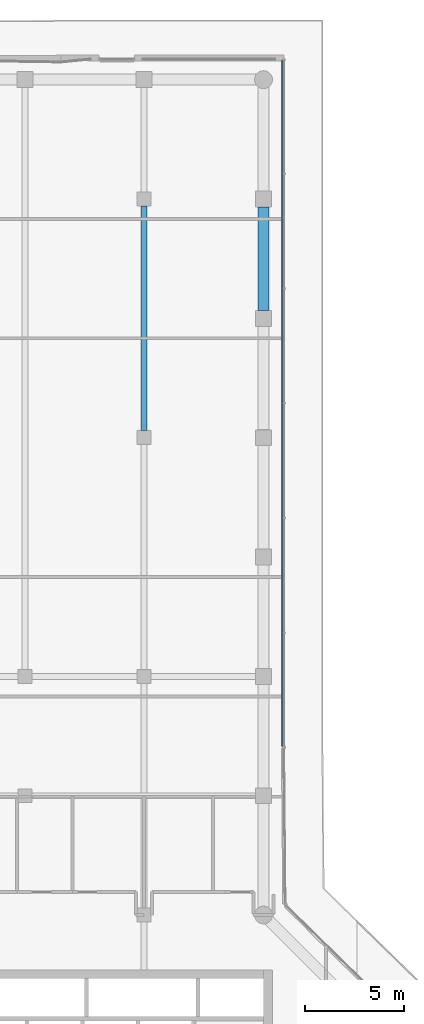
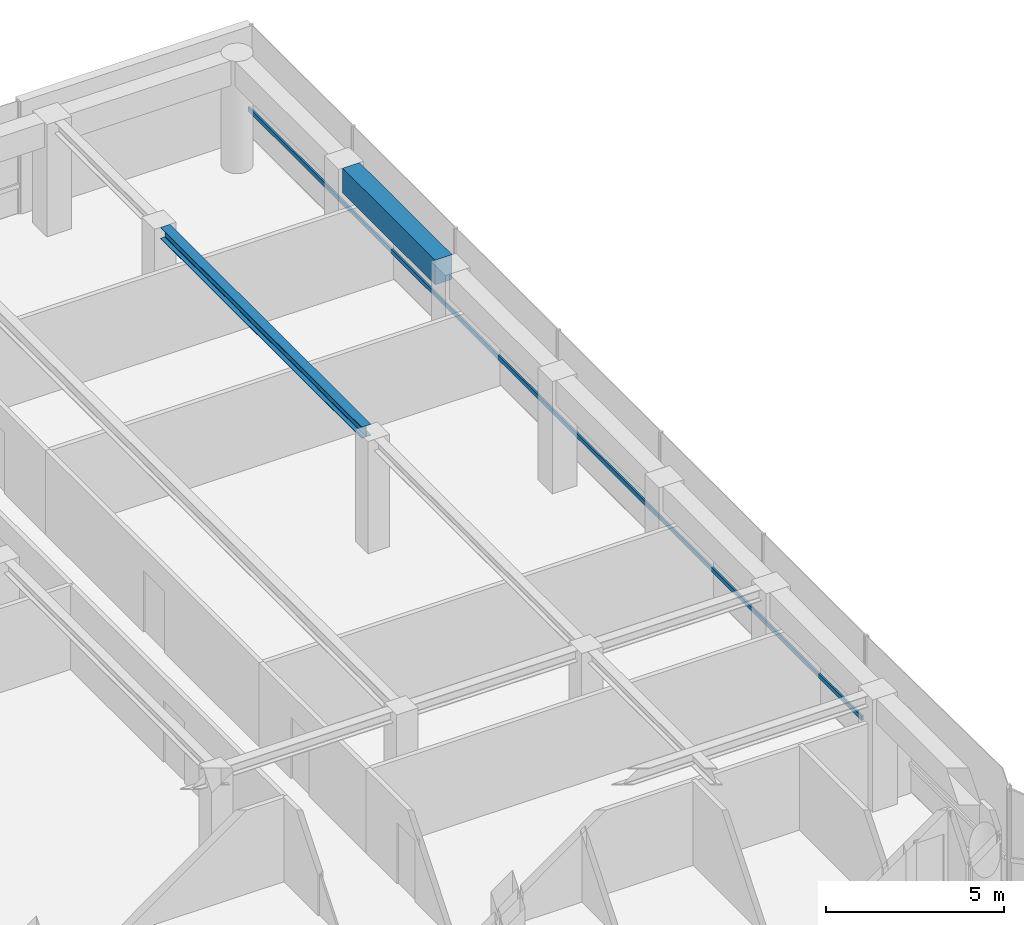
# One storey, part 11 of 19: 2 beams, 1 member, 1 element without a shape of its own.
"""IFC4 building model written with IfcOpenShell, lengths in metres."""

from ifc_helpers import new_model, si_unit, direction, frame, origin, origin_2d, place, context, subcontext, project, spatial, rectangle, i_section, extrude, material, layer, layer_set, material_profile, profile_set, type_object, element, aggregate, save


model = new_model("IFC4")

# Units and contexts
model_context = context("Model", 3, precision=1e-05, world=origin(), true_north=direction((0.0, 1.0)))
body_context = subcontext(model_context, "Body", "Model", "MODEL_VIEW")
ifc_project = project(units=[si_unit("LENGTHUNIT", "METRE"), si_unit("AREAUNIT", "SQUARE_METRE"), si_unit("VOLUMEUNIT", "CUBIC_METRE"), si_unit("PLANEANGLEUNIT", "RADIAN"), si_unit("MASSUNIT", "GRAM", prefix="KILO")], contexts=[model_context])

# Site, building, storey
site_placement = place(None, origin())
site = spatial("IfcSite", under=ifc_project, at=site_placement, CompositionType="ELEMENT")
building_placement = place(site_placement, origin())
building = spatial("IfcBuilding", under=site, at=building_placement, Name="Welwitschia Terrace Campus", CompositionType="ELEMENT")
storey_placement = place(building_placement, frame((0.0, 0.0, 226.39990234375)))
storey = spatial("IfcBuildingStorey", under=building, at=storey_placement, Name="L50", CompositionType="ELEMENT", Elevation=226.39990234375)

# Beams
ifc_material_1 = material(Name="Steel S355", Category="steel")
ifc_material_profile_1 = material_profile(ifc_material_1, i_section(OverallWidth=0.300048828125, OverallDepth=0.389892578125, WebThickness=0.010986328125, FlangeThickness=0.01904296875, FilletRadius=0.027099609375, at=origin_2d()))
ifc_profile_set_1 = profile_set([ifc_material_profile_1], Name="Steel S355")
beam_type_1 = type_object("IfcBeamType", Name="Interior girder HE 400 A", PredefinedType="BEAM", material=ifc_profile_set_1)
beam_1_placement = place(storey_placement, frame((18.0, 52.3505859375, 3.655029296875), z_axis=(0.0, 1.0, 0.0), x_axis=(-1.0, 0.0, 0.0)))
element("IfcBeam", 1, at=beam_1_placement, inside=storey, type_object=beam_type_1, Name="Girder GB5", PredefinedType="BEAM", context=body_context, shape_type="SweptSolid", body=[
    extrude(i_section(OverallWidth=0.300048828125, OverallDepth=0.389892578125, WebThickness=0.010986328125, FlangeThickness=0.01904296875, FilletRadius=0.027099609375, at=origin_2d()), origin(), (0.0, 0.0, 1.0), 11.298828125),
])
ifc_material_2 = material(Name="Concrete C50/60", Category="concrete")
ifc_material_profile_2 = material_profile(ifc_material_2, rectangle(XDim=0.550048828125, YDim=0.85009765625, at=origin_2d()))
ifc_profile_set_2 = profile_set([ifc_material_profile_2], Name="Concrete C50/60")
beam_type_2 = type_object("IfcBeamType", Name="Ring spandrel 550x850", PredefinedType="SPANDREL", material=ifc_profile_set_2)
beam_2_placement = place(storey_placement, frame((24.0, 58.400390625, 3.425048828125), z_axis=(0.0, 1.0, 0.0), x_axis=(-1.0, 0.0, 0.0)))
element("IfcBeam", 2, at=beam_2_placement, inside=storey, type_object=beam_type_2, Name="Spandrel SP3", PredefinedType="SPANDREL", context=body_context, shape_type="SweptSolid", body=[
    extrude(rectangle(XDim=0.550048828125, YDim=0.85009765625, at=origin_2d()), origin(), (0.0, 0.0, 1.0), 5.19921875),
])

# Curtain wall, member
ifc_material_3 = material(Name="Bronze anodised aluminium", Category="aluminium")
ifc_layer = layer(ifc_material_3, 0.1201171875)
ifc_layer_set = layer_set([ifc_layer], Name="Bronze anodised aluminium")
curtain_wall_type = type_object("IfcCurtainWallType", Name="Curtain wall CW2 tower 6000", PredefinedType="NOTDEFINED", material=ifc_layer_set)
curtain_wall_placement = place(storey_placement, origin())
curtain_wall = element("IfcCurtainWall", 3, at=curtain_wall_placement, inside=storey, type_object=curtain_wall_type, Name="CW L50.9.0", PredefinedType="NOTDEFINED")
ifc_material_4 = material(Name="Bronze anodised aluminium", Category="aluminium")
ifc_material_profile_3 = material_profile(ifc_material_4, rectangle(XDim=0.06005859375, YDim=0.14990234375, at=origin_2d()))
ifc_profile_set_3 = profile_set([ifc_material_profile_3], Name="Bronze anodised aluminium")
member_type = type_object("IfcMemberType", Name="Transom 60x150", PredefinedType="USERDEFINED", material=ifc_profile_set_3)
member_placement = place(storey_placement, frame((24.93994140625, 36.496337890625, 1.0), z_axis=(0.0, 1.0, 0.0), x_axis=(-1.0, 0.0, 0.0)))
member = element("IfcMember", 4, at=member_placement, type_object=member_type, Name="Transom L50.9.0", ObjectType="TRANSOM", PredefinedType="USERDEFINED", context=body_context, shape_type="SweptSolid", body=[
    extrude(rectangle(XDim=0.06005859375, YDim=0.14990234375, at=origin_2d()), origin(), (0.0, 0.0, 1.0), 34.4736328125),
])
aggregate(curtain_wall, [member])

save(model, "model.ifc")
